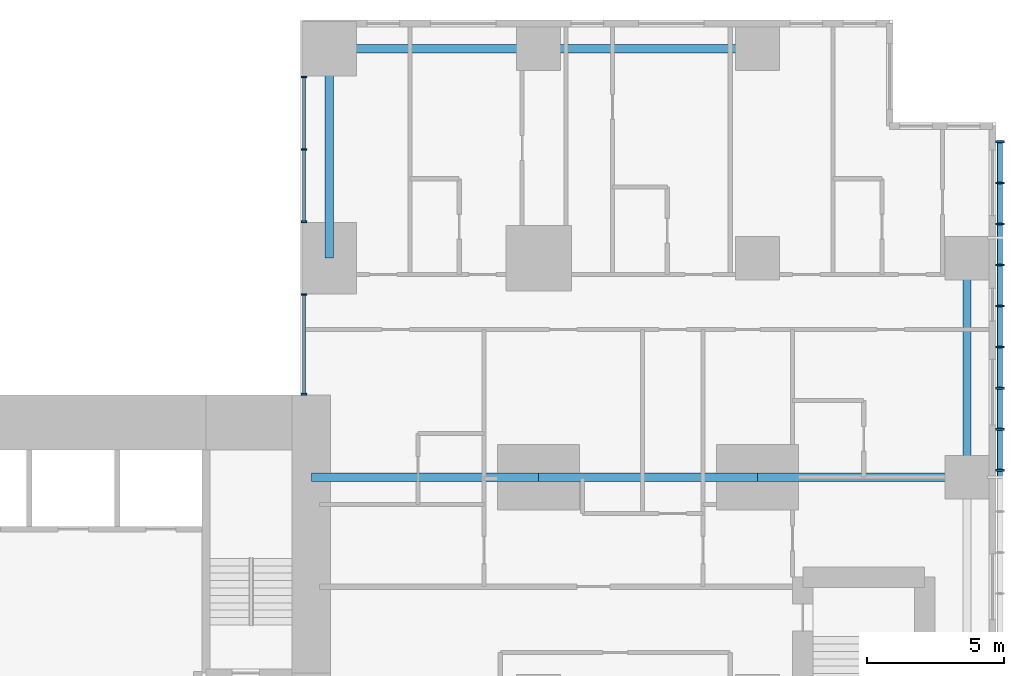
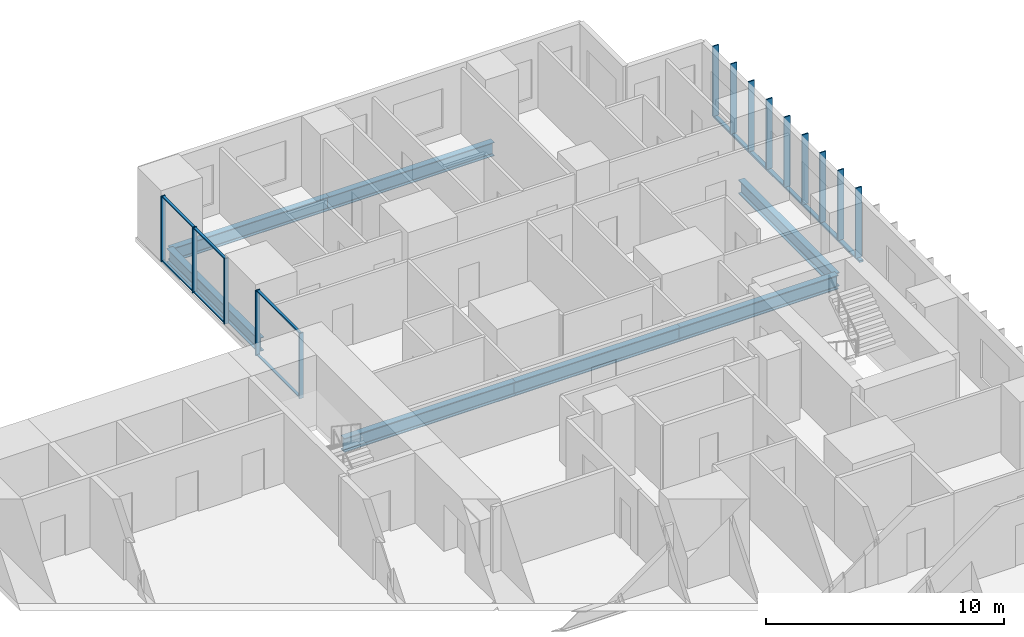
# One storey, part 3 of 12: 21 members, 7 beams, 2 elements without a shape of their own.
"""IFC4 building model written with IfcOpenShell, lengths in metres."""

from ifc_helpers import new_model, si_unit, direction, frame, origin, origin_2d, place, context, subcontext, project, spatial, rectangle, hollow_rectangle, i_section, extrude, material, layer, layer_set, material_profile, profile_set, type_object, element, aggregate, save


model = new_model("IFC4")

# Units and contexts
model_context = context("Model", 3, precision=1e-05, world=origin(), true_north=direction((0.0, 1.0)))
body_context = subcontext(model_context, "Body", "Model", "MODEL_VIEW")
ifc_project = project(units=[si_unit("LENGTHUNIT", "METRE"), si_unit("AREAUNIT", "SQUARE_METRE"), si_unit("VOLUMEUNIT", "CUBIC_METRE"), si_unit("PLANEANGLEUNIT", "RADIAN"), si_unit("MASSUNIT", "GRAM", prefix="KILO")], contexts=[model_context])

# Site, building, storey
site_placement = place(None, origin())
site = spatial("IfcSite", under=ifc_project, at=site_placement, CompositionType="ELEMENT")
building_placement = place(site_placement, origin())
building = spatial("IfcBuilding", under=site, at=building_placement, Name="Cleftline Residences", CompositionType="ELEMENT")
storey_placement = place(building_placement, frame((0.0, 0.0, 252.0)))
storey = spatial("IfcBuildingStorey", under=building, at=storey_placement, Name="L66", CompositionType="ELEMENT", Elevation=252.0)

# Member
ifc_material_1 = material(Name="Steel S355, hot-dip galvanised", Category="steel")
ifc_material_profile_1 = material_profile(ifc_material_1, hollow_rectangle(XDim=0.10009765625, YDim=0.199951171875, WallThickness=0.008056640625, InnerFilletRadius=0.008056640625, OuterFilletRadius=0.011962890625, at=origin_2d()))
ifc_profile_set_1 = profile_set([ifc_material_profile_1], Name="Steel S355, hot-dip galvanised")
member_type_1 = type_object("IfcMemberType", Name="BAGUETTE CARRIER RHS 200X100X8", PredefinedType="USERDEFINED", material=ifc_profile_set_1)
member_1_placement = place(storey_placement, frame((66.85009765625, 32.0, -0.050048828125), z_axis=(0.0, 1.0, 0.0), x_axis=(0.0, 0.0, 1.0)))
element("IfcMember", 1, at=member_1_placement, inside=storey, type_object=member_type_1, Name="Baguette carrier", ObjectType="BAGUETTE CARRIER", PredefinedType="USERDEFINED", context=body_context, shape_type="SweptSolid", body=[
    extrude(hollow_rectangle(XDim=0.10009765625, YDim=0.199951171875, WallThickness=0.008056640625, InnerFilletRadius=0.008056640625, OuterFilletRadius=0.011962890625, at=origin_2d()), origin(), (0.0, 0.0, 1.0), 12.300048828125),
])

# Beams
ifc_material_2 = material(Name="Steel S355", Category="steel")
ifc_material_profile_2 = material_profile(ifc_material_2, i_section(OverallWidth=0.300048828125, OverallDepth=0.699951171875, WebThickness=0.01708984375, FlangeThickness=0.031982421875, FilletRadius=0.027099609375, at=origin_2d()))
ifc_profile_set_2 = profile_set([ifc_material_profile_2], Name="Steel S355")
beam_type_1 = type_object("IfcBeamType", Name="BEAM HEB 700", PredefinedType="BEAM", material=ifc_profile_set_2)
for number, where, z_axis, x_axis, name in (
    (2, (65.64990234375, 32.0, -0.60009765625), (0.0, 1.0, 0.0), (-1.0, 0.0, 0.0), "Edge beam"),
    (3, (58.0, 47.64990234375, -0.60009765625), (-1.0, 0.0, 0.0), (0.0, -1.0, 0.0), "Edge beam"),
):
    element("IfcBeam", number, at=place(storey_placement, frame(where, z_axis=z_axis, x_axis=x_axis)), inside=storey, type_object=beam_type_1, Name=name, PredefinedType="BEAM", context=body_context, shape_type="SweptSolid", body=[
        extrude(i_section(OverallWidth=0.300048828125, OverallDepth=0.699951171875, WebThickness=0.01708984375, FlangeThickness=0.031982421875, FilletRadius=0.027099609375, at=origin_2d()), origin(), (0.0, 0.0, 1.0), 8.0),
    ])
for number, where, z_axis, x_axis, name in (
    (4, (50.0, 47.64990234375, -0.60009765625), (-1.0, 0.0, 0.0), (0.0, -1.0, 0.0), "Edge beam"),
    (5, (42.35009765625, 47.64990234375, -0.60009765625), (0.0, -1.0, 0.0), (1.0, 0.0, 0.0), "Edge beam"),
):
    element("IfcBeam", number, at=place(storey_placement, frame(where, z_axis=z_axis, x_axis=x_axis)), inside=storey, type_object=beam_type_1, Name=name, PredefinedType="BEAM", context=body_context, shape_type="SweptSolid", body=[
        extrude(i_section(OverallWidth=0.300048828125, OverallDepth=0.699951171875, WebThickness=0.01708984375, FlangeThickness=0.031982421875, FilletRadius=0.027099609375, at=origin_2d()), origin(), (0.0, 0.0, 1.0), 7.64990234375),
    ])
ifc_material_3 = material(Name="Steel S355", Category="steel")
ifc_material_profile_3 = material_profile(ifc_material_3, i_section(OverallWidth=0.303955078125, OverallDepth=0.716064453125, WebThickness=0.02099609375, FlangeThickness=0.0400390625, FilletRadius=0.027099609375, at=origin_2d()))
ifc_profile_set_3 = profile_set([ifc_material_profile_3], Name="Steel S355")
beam_type_2 = type_object("IfcBeamType", Name="BEAM HEM 700", PredefinedType="BEAM", material=ifc_profile_set_3)
beam_1_placement = place(storey_placement, frame((65.64990234375, 32.0, -0.60791015625), z_axis=(-1.0, 0.0, 0.0), x_axis=(0.0, -1.0, 0.0)))
element("IfcBeam", 6, at=beam_1_placement, inside=storey, type_object=beam_type_2, Name="Band beam", PredefinedType="BEAM", context=body_context, shape_type="SweptSolid", body=[
    extrude(i_section(OverallWidth=0.303955078125, OverallDepth=0.716064453125, WebThickness=0.02099609375, FlangeThickness=0.0400390625, FilletRadius=0.027099609375, at=origin_2d()), origin(), (0.0, 0.0, 1.0), 7.64990234375),
])
beam_2_placement = place(storey_placement, frame((58.0, 32.0, -0.60791015625), z_axis=(-1.0, 0.0, 0.0), x_axis=(0.0, -1.0, 0.0)))
element("IfcBeam", 7, at=beam_2_placement, inside=storey, type_object=beam_type_2, Name="Band beam", PredefinedType="BEAM", context=body_context, shape_type="SweptSolid", body=[
    extrude(i_section(OverallWidth=0.303955078125, OverallDepth=0.716064453125, WebThickness=0.02099609375, FlangeThickness=0.0400390625, FilletRadius=0.027099609375, at=origin_2d()), origin(), (0.0, 0.0, 1.0), 8.0),
])
beam_3_placement = place(storey_placement, frame((50.0, 32.0, -0.60791015625), z_axis=(-1.0, 0.0, 0.0), x_axis=(0.0, -1.0, 0.0)))
element("IfcBeam", 8, at=beam_3_placement, inside=storey, type_object=beam_type_2, Name="Band beam", PredefinedType="BEAM", context=body_context, shape_type="SweptSolid", body=[
    extrude(i_section(OverallWidth=0.303955078125, OverallDepth=0.716064453125, WebThickness=0.02099609375, FlangeThickness=0.0400390625, FilletRadius=0.027099609375, at=origin_2d()), origin(), (0.0, 0.0, 1.0), 8.300048828125),
])

# Curtain wall, members
ifc_material_4 = material(Name="Aluminium framed curtain wall", Category="aluminium")
ifc_layer = layer(ifc_material_4, 0.199951171875)
ifc_layer_set = layer_set([ifc_layer], Name="CW1 CLEFT GLAZING")
curtain_wall_type = type_object("IfcCurtainWallType", Name="CW1 CLEFT GLAZING", PredefinedType="NOTDEFINED", material=ifc_layer_set)
curtain_wall_1_placement = place(storey_placement, origin())
curtain_wall_1 = element("IfcCurtainWall", 9, at=curtain_wall_1_placement, inside=storey, type_object=curtain_wall_type, Name="Curtain wall CW1", PredefinedType="NOTDEFINED")
ifc_material_5 = material(Name="Aluminium mullion", Category="aluminium")
ifc_material_profile_4 = material_profile(ifc_material_5, rectangle(XDim=0.199951171875, YDim=0.06005859375, at=origin_2d()))
ifc_profile_set_4 = profile_set([ifc_material_profile_4], Name="Aluminium mullion")
member_type_2 = type_object("IfcMemberType", Name="CW1 MULLION", PredefinedType="MULLION", material=ifc_profile_set_4)
member_2_placement = place(storey_placement, frame((41.425048828125, 46.6201171875, 0.0), z_axis=(0.0, 0.0, 1.0), x_axis=(1.0, 0.0, 0.0)))
member_2 = element("IfcMember", 10, at=member_2_placement, type_object=member_type_2, Name="CW1 mullion 1", PredefinedType="MULLION", context=body_context, shape_type="SweptSolid", body=[
    extrude(rectangle(XDim=0.199951171875, YDim=0.06005859375, at=origin_2d()), origin(), (0.0, 0.0, 1.0), 3.35009765625),
])
member_3_placement = place(storey_placement, frame((41.425048828125, 43.97509765625, 0.0), z_axis=(0.0, 0.0, 1.0), x_axis=(1.0, 0.0, 0.0)))
member_3 = element("IfcMember", 11, at=member_3_placement, type_object=member_type_2, Name="CW1 mullion 2", PredefinedType="MULLION", context=body_context, shape_type="SweptSolid", body=[
    extrude(rectangle(XDim=0.199951171875, YDim=0.06005859375, at=origin_2d()), origin(), (0.0, 0.0, 1.0), 3.35009765625),
])
member_4_placement = place(storey_placement, frame((41.425048828125, 41.330078125, 0.0), z_axis=(0.0, 0.0, 1.0), x_axis=(1.0, 0.0, 0.0)))
member_4 = element("IfcMember", 12, at=member_4_placement, type_object=member_type_2, Name="CW1 mullion 3", PredefinedType="MULLION", context=body_context, shape_type="SweptSolid", body=[
    extrude(rectangle(XDim=0.199951171875, YDim=0.06005859375, at=origin_2d()), origin(), (0.0, 0.0, 1.0), 3.35009765625),
])

curtain_wall_2_placement = place(storey_placement, origin())
curtain_wall_2 = element("IfcCurtainWall", 13, at=curtain_wall_2_placement, inside=storey, type_object=curtain_wall_type, Name="Curtain wall CW1", PredefinedType="NOTDEFINED")
member_5_placement = place(storey_placement, frame((41.425048828125, 38.669921875, 0.0), z_axis=(0.0, 0.0, 1.0), x_axis=(1.0, 0.0, 0.0)))
member_5 = element("IfcMember", 14, at=member_5_placement, type_object=member_type_2, Name="CW1 mullion 1", PredefinedType="MULLION", context=body_context, shape_type="SweptSolid", body=[
    extrude(rectangle(XDim=0.199951171875, YDim=0.06005859375, at=origin_2d()), origin(), (0.0, 0.0, 1.0), 3.35009765625),
])
member_6_placement = place(storey_placement, frame((41.425048828125, 35.030029296875, 0.0), z_axis=(0.0, 0.0, 1.0), x_axis=(1.0, 0.0, 0.0)))
member_6 = element("IfcMember", 15, at=member_6_placement, type_object=member_type_2, Name="CW1 mullion 2", PredefinedType="MULLION", context=body_context, shape_type="SweptSolid", body=[
    extrude(rectangle(XDim=0.199951171875, YDim=0.06005859375, at=origin_2d()), origin(), (0.0, 0.0, 1.0), 3.35009765625),
])

# Member
ifc_material_6 = material(Name="Aluminium transom", Category="aluminium")
ifc_material_profile_5 = material_profile(ifc_material_6, rectangle(XDim=0.1201171875, YDim=0.06005859375, at=origin_2d()))
ifc_profile_set_5 = profile_set([ifc_material_profile_5], Name="Aluminium transom")
member_type_3 = type_object("IfcMemberType", Name="CW1 TRANSOM", PredefinedType="USERDEFINED", material=ifc_profile_set_5)
member_7_placement = place(storey_placement, frame((41.425048828125, 46.590087890625, 0.030029296875), z_axis=(0.0, -1.0, 0.0), x_axis=(1.0, 0.0, 0.0)))
member_7 = element("IfcMember", 16, at=member_7_placement, type_object=member_type_3, Name="CW1 transom 1.1", ObjectType="TRANSOM", PredefinedType="USERDEFINED", context=body_context, shape_type="SweptSolid", body=[
    extrude(rectangle(XDim=0.1201171875, YDim=0.06005859375, at=origin_2d()), origin(), (0.0, 0.0, 1.0), 2.585205078125),
])

member_8_placement = place(storey_placement, frame((41.425048828125, 46.590087890625, 3.320068359375), z_axis=(0.0, -1.0, 0.0), x_axis=(1.0, 0.0, 0.0)))
member_8 = element("IfcMember", 17, at=member_8_placement, type_object=member_type_3, Name="CW1 transom 1.2", ObjectType="TRANSOM", PredefinedType="USERDEFINED", context=body_context, shape_type="SweptSolid", body=[
    extrude(rectangle(XDim=0.1201171875, YDim=0.06005859375, at=origin_2d()), origin(), (0.0, 0.0, 1.0), 2.585205078125),
])

member_9_placement = place(storey_placement, frame((41.425048828125, 43.945068359375, 0.030029296875), z_axis=(0.0, -1.0, 0.0), x_axis=(1.0, 0.0, 0.0)))
member_9 = element("IfcMember", 18, at=member_9_placement, type_object=member_type_3, Name="CW1 transom 2.1", ObjectType="TRANSOM", PredefinedType="USERDEFINED", context=body_context, shape_type="SweptSolid", body=[
    extrude(rectangle(XDim=0.1201171875, YDim=0.06005859375, at=origin_2d()), origin(), (0.0, 0.0, 1.0), 2.5849609375),
])

member_10_placement = place(storey_placement, frame((41.425048828125, 43.945068359375, 3.320068359375), z_axis=(0.0, -1.0, 0.0), x_axis=(1.0, 0.0, 0.0)))
member_10 = element("IfcMember", 19, at=member_10_placement, type_object=member_type_3, Name="CW1 transom 2.2", ObjectType="TRANSOM", PredefinedType="USERDEFINED", context=body_context, shape_type="SweptSolid", body=[
    extrude(rectangle(XDim=0.1201171875, YDim=0.06005859375, at=origin_2d()), origin(), (0.0, 0.0, 1.0), 2.5849609375),
])

aggregate(curtain_wall_1, [member_2, member_3, member_4, member_7, member_8, member_9, member_10])

member_11_placement = place(storey_placement, frame((41.425048828125, 38.639892578125, 0.030029296875), z_axis=(0.0, -1.0, 0.0), x_axis=(1.0, 0.0, 0.0)))
member_11 = element("IfcMember", 20, at=member_11_placement, type_object=member_type_3, Name="CW1 transom 1.1", ObjectType="TRANSOM", PredefinedType="USERDEFINED", context=body_context, shape_type="SweptSolid", body=[
    extrude(rectangle(XDim=0.1201171875, YDim=0.06005859375, at=origin_2d()), origin(), (0.0, 0.0, 1.0), 3.579833984375),
])

member_12_placement = place(storey_placement, frame((41.425048828125, 38.639892578125, 3.320068359375), z_axis=(0.0, -1.0, 0.0), x_axis=(1.0, 0.0, 0.0)))
member_12 = element("IfcMember", 21, at=member_12_placement, type_object=member_type_3, Name="CW1 transom 1.2", ObjectType="TRANSOM", PredefinedType="USERDEFINED", context=body_context, shape_type="SweptSolid", body=[
    extrude(rectangle(XDim=0.1201171875, YDim=0.06005859375, at=origin_2d()), origin(), (0.0, 0.0, 1.0), 3.579833984375),
])

aggregate(curtain_wall_2, [member_5, member_6, member_11, member_12])

# Members
ifc_material_7 = material(Name="Extruded terracotta", Category="masonry")
ifc_material_profile_6 = material_profile(ifc_material_7, rectangle(XDim=0.06005859375, YDim=0.300048828125, at=origin_2d()))
ifc_profile_set_6 = profile_set([ifc_material_profile_6], Name="Extruded terracotta")
member_type_4 = type_object("IfcMemberType", Name="TERRACOTTA BAGUETTE 60X300", PredefinedType="USERDEFINED", material=ifc_profile_set_6)
for number, where, z_axis, x_axis, name in (
    (22, (66.85009765625, 32.25, 0.0), (0.0, 0.0, 1.0), (0.0, 1.0, 0.0), "Terracotta baguette"),
    (23, (66.85009765625, 33.75, 0.0), (0.0, 0.0, 1.0), (0.0, 1.0, 0.0), "Terracotta baguette"),
    (24, (66.85009765625, 35.25, 0.0), (0.0, 0.0, 1.0), (0.0, 1.0, 0.0), "Terracotta baguette"),
    (25, (66.85009765625, 36.75, 0.0), (0.0, 0.0, 1.0), (0.0, 1.0, 0.0), "Terracotta baguette"),
    (26, (66.85009765625, 38.25, 0.0), (0.0, 0.0, 1.0), (0.0, 1.0, 0.0), "Terracotta baguette"),
    (27, (66.85009765625, 39.75, 0.0), (0.0, 0.0, 1.0), (0.0, 1.0, 0.0), "Terracotta baguette"),
    (28, (66.85009765625, 41.25, 0.0), (0.0, 0.0, 1.0), (0.0, 1.0, 0.0), "Terracotta baguette"),
    (29, (66.85009765625, 42.75, 0.0), (0.0, 0.0, 1.0), (0.0, 1.0, 0.0), "Terracotta baguette"),
    (30, (66.85009765625, 44.25, 0.0), (0.0, 0.0, 1.0), (0.0, 1.0, 0.0), "Terracotta baguette"),
):
    element("IfcMember", number, at=place(storey_placement, frame(where, z_axis=z_axis, x_axis=x_axis)), inside=storey, type_object=member_type_4, Name=name, ObjectType="BAGUETTE", PredefinedType="USERDEFINED", context=body_context, shape_type="SweptSolid", body=[
        extrude(rectangle(XDim=0.06005859375, YDim=0.300048828125, at=origin_2d()), origin(), (0.0, 0.0, 1.0), 3.60009765625),
    ])

save(model, "model.ifc")
